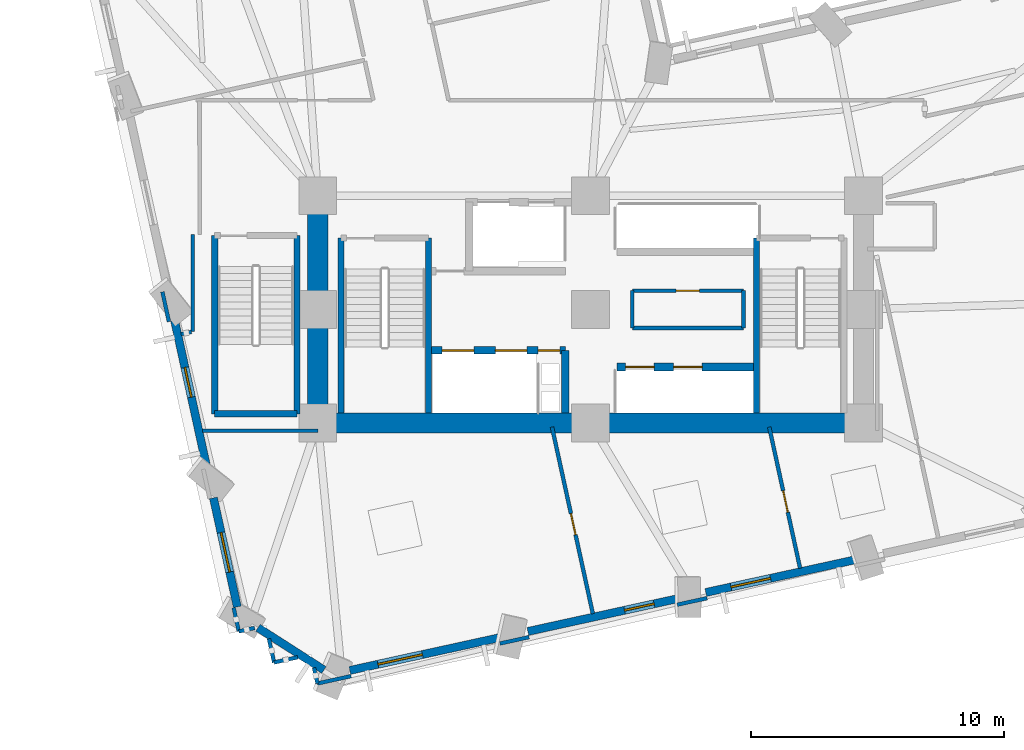
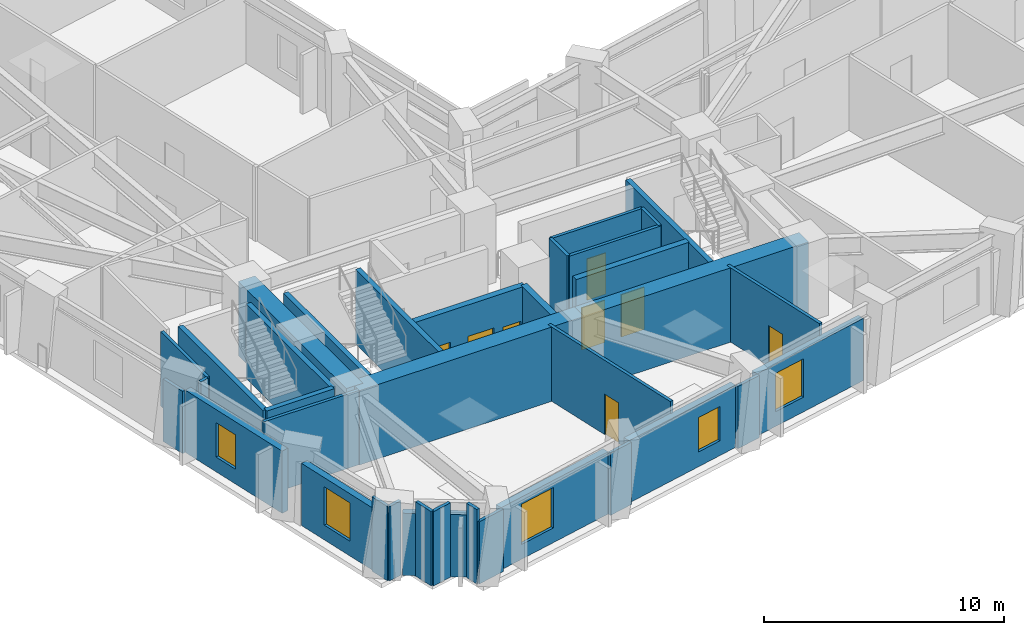
# One storey, part 6 of 14: 36 walls, 8 doors, 5 windows, 13 openings.
"""IFC4 building model written with IfcOpenShell, lengths in metres."""

from ifc_helpers import new_model, si_unit, direction, frame, frame_2d, origin, place, context, subcontext, project, spatial, rectangle, extrude, material, layer, layer_set, type_object, element, fill, save


model = new_model("IFC4")

# Units and contexts
model_context = context("Model", 3, precision=1e-05, world=origin(), true_north=direction((0.0, 1.0)))
body_context = subcontext(model_context, "Body", "Model", "MODEL_VIEW")
ifc_project = project(units=[si_unit("LENGTHUNIT", "METRE"), si_unit("AREAUNIT", "SQUARE_METRE"), si_unit("VOLUMEUNIT", "CUBIC_METRE"), si_unit("PLANEANGLEUNIT", "RADIAN"), si_unit("MASSUNIT", "GRAM", prefix="KILO")], contexts=[model_context])

# Site, building, storey
site_placement = place(None, origin())
site = spatial("IfcSite", under=ifc_project, at=site_placement, CompositionType="ELEMENT")
building_placement = place(site_placement, origin())
building = spatial("IfcBuilding", under=site, at=building_placement, Name="Gaonmaruhae Medical Tower", CompositionType="ELEMENT")
storey_placement = place(building_placement, frame((0.0, 0.0, 75.0)))
storey = spatial("IfcBuildingStorey", under=building, at=storey_placement, Name="L17", CompositionType="ELEMENT", Elevation=75.0)

# Walls
ifc_material_1 = material(Name="Concrete C60/75", Category="concrete")
ifc_layer_1 = layer(ifc_material_1, 0.800048828125)
ifc_layer_set_1 = layer_set([ifc_layer_1], Name="Concrete C60/75")
wall_type_1 = type_object("IfcWallType", Name="CW-800 Lower Core Shear Wall", PredefinedType="SHEAR", material=ifc_layer_set_1)
for number, where, z_axis, x_axis, name in (
    (1, (14.0, 7.800048828125, 0.0), (0.0, 0.0, 1.0), (1.0, 0.0, 0.0), "L17 Core Shear Wall CSW-S1"),
    (2, (24.800048828125, 7.800048828125, 0.0), (0.0, 0.0, 1.0), (1.0, 0.0, 0.0), "L17 Core Shear Wall CSW-S2"),
):
    element("IfcWall", number, at=place(storey_placement, frame(where, z_axis=z_axis, x_axis=x_axis)), inside=storey, type_object=wall_type_1, Name=name, PredefinedType="SHEAR", context=body_context, shape_type="SweptSolid", body=[
        extrude(rectangle(XDim=10.800048828125, YDim=0.800048828125, at=frame_2d((5.39990234375, 0.0))), origin(), (0.0, 0.0, 1.0), 3.780029296875),
    ])
wall_1_placement = place(storey_placement, frame((14.0, 16.800048828125, 0.0), z_axis=(0.0, 0.0, 1.0), x_axis=(0.0, -1.0, 0.0)))
element("IfcWall", 3, at=wall_1_placement, inside=storey, type_object=wall_type_1, Name="L17 Core Shear Wall CSW-W1", PredefinedType="SHEAR", context=body_context, shape_type="SweptSolid", body=[
    extrude(rectangle(XDim=9.0, YDim=0.800048828125, at=frame_2d((4.5, 0.0))), origin(), (0.0, 0.0, 1.0), 3.780029296875),
])

# Wall, opening, window
ifc_material_2 = material(Name="Precast concrete C45/55", Category="concrete")
ifc_layer_2 = layer(ifc_material_2, 0.320068359375)
ifc_layer_set_2 = layer_set([ifc_layer_2], Name="Precast concrete C45/55")
wall_type_2 = type_object("IfcWallType", Name="EW-320 Lower Precast Masonry-Frame Facade Wall", PredefinedType="SOLIDWALL", material=ifc_layer_set_2)
wall_2_placement = place(storey_placement, frame((21.16064453125, -0.70068359375, 0.0), z_axis=(0.0, 0.0, 1.0), x_axis=(-0.976863843637, -0.213862177571, 0.0)))
wall_2 = element("IfcWall", 4, at=wall_2_placement, inside=storey, type_object=wall_type_2, Name="L17 Precast Masonry-Frame Wall S01-S02", PredefinedType="SOLIDWALL", context=body_context, shape_type="SweptSolid", body=[
    extrude(rectangle(XDim=6.034423828125, YDim=0.320068359375, at=frame_2d((3.01708984375, 0.0))), origin(), (0.0, 0.0, 1.0), 3.1650390625),
])
opening_1_placement = place(wall_2_placement, frame((3.091796875, 0.0, 0.75)))
opening_1 = element("IfcOpeningElement", 5, at=opening_1_placement, cuts=wall_2, Name="Opening WN-04", PredefinedType="OPENING", context=body_context, shape_type="SweptSolid", body=[
    extrude(rectangle(XDim=1.800048828125, YDim=2.050048828125, at=frame_2d((0.89990234375, 1.02490234375))), frame((0.0, 0.169921875, 0.0), z_axis=(0.0, -1.0, 0.0), x_axis=(1.0, 0.0, 0.0)), (0.0, 0.0, 1.0), 0.340087890625),
])
ifc_material_3 = material(Name="Anodised aluminium and Low-E double glazing", Category="aluminium")
window_type_1 = type_object("IfcWindowType", Name="WN-04 Clinic & Consult Punched Window 1800x2050", PartitioningType="SINGLE_PANEL", PredefinedType="WINDOW", material=ifc_material_3)
window_1_placement = place(opening_1_placement, origin())
window_1 = element("IfcWindow", 6, at=window_1_placement, inside=storey, type_object=window_type_1, Name="L17 Modular Facade Window S01", OverallHeight=2.050048828125, OverallWidth=1.800048828125, PartitioningType="SINGLE_PANEL", PredefinedType="WINDOW", context=body_context, shape_type="SweptSolid", body=[
    extrude(rectangle(XDim=1.800048828125, YDim=2.050048828125, at=frame_2d((0.89990234375, 1.02490234375))), frame((0.0, 0.030029296875, 0.0), z_axis=(0.0, -1.0, 0.0), x_axis=(1.0, 0.0, 0.0)), (0.0, 0.0, 1.0), 0.06005859375),
])
fill(opening_1, window_1)

wall_3_placement = place(storey_placement, frame((28.1826171875, 0.8369140625, 0.0), z_axis=(0.0, 0.0, 1.0), x_axis=(-0.976853849755, -0.213907821782, 0.0)))
wall_3 = element("IfcWall", 7, at=wall_3_placement, inside=storey, type_object=wall_type_2, Name="L17 Precast Masonry-Frame Wall S02-S03", PredefinedType="SOLIDWALL", context=body_context, shape_type="SweptSolid", body=[
    extrude(rectangle(XDim=6.005615234375, YDim=0.320068359375, at=frame_2d((3.0029296875, 0.0))), origin(), (0.0, 0.0, 1.0), 3.1650390625),
])
opening_2_placement = place(wall_3_placement, frame((0.8876953125, 0.0, 0.75)))
opening_2 = element("IfcOpeningElement", 8, at=opening_2_placement, cuts=wall_3, Name="Opening WN-05", PredefinedType="OPENING", context=body_context, shape_type="SweptSolid", body=[
    extrude(rectangle(XDim=1.199951171875, YDim=1.75, at=frame_2d((0.60009765625, 0.875))), frame((0.0, 0.169921875, 0.0), z_axis=(0.0, -1.0, 0.0), x_axis=(1.0, 0.0, 0.0)), (0.0, 0.0, 1.0), 0.340087890625),
])
window_type_2 = type_object("IfcWindowType", Name="WN-05 Support & Staff Punched Window 1200x1750", PartitioningType="SINGLE_PANEL", PredefinedType="WINDOW", material=ifc_material_3)
window_2_placement = place(opening_2_placement, origin())
window_2 = element("IfcWindow", 9, at=window_2_placement, inside=storey, type_object=window_type_2, Name="L17 Modular Facade Window S02", OverallHeight=1.75, OverallWidth=1.199951171875, PartitioningType="SINGLE_PANEL", PredefinedType="WINDOW", context=body_context, shape_type="SweptSolid", body=[
    extrude(rectangle(XDim=1.199951171875, YDim=1.75, at=frame_2d((0.60009765625, 0.875))), frame((0.0, 0.030029296875, 0.0), z_axis=(0.0, -1.0, 0.0), x_axis=(1.0, 0.0, 0.0)), (0.0, 0.0, 1.0), 0.06005859375),
])
fill(opening_2, window_2)

wall_4_placement = place(storey_placement, frame((35.210693359375, 2.37548828125, 0.0), z_axis=(0.0, 0.0, 1.0), x_axis=(-0.976862242803, -0.21386948961, 0.0)))
wall_4 = element("IfcWall", 10, at=wall_4_placement, inside=storey, type_object=wall_type_2, Name="L17 Precast Masonry-Frame Wall S03-S04", PredefinedType="SOLIDWALL", context=body_context, shape_type="SweptSolid", body=[
    extrude(rectangle(XDim=5.98974609375, YDim=0.320068359375, at=frame_2d((2.994873046875, 0.0))), origin(), (0.0, 0.0, 1.0), 3.1650390625),
])
opening_3_placement = place(wall_4_placement, frame((3.3671875, 0.0, 0.75)))
opening_3 = element("IfcOpeningElement", 11, at=opening_3_placement, cuts=wall_4, Name="Opening WN-01", PredefinedType="OPENING", context=body_context, shape_type="SweptSolid", body=[
    extrude(rectangle(XDim=1.60009765625, YDim=1.949951171875, at=frame_2d((0.800048828125, 0.97509765625))), frame((0.0, 0.169921875, 0.0), z_axis=(0.0, -1.0, 0.0), x_axis=(1.0, 0.0, 0.0)), (0.0, 0.0, 1.0), 0.340087890625),
])
window_type_3 = type_object("IfcWindowType", Name="WN-01 Ward Punched Acoustic Window 1600x1950", PartitioningType="SINGLE_PANEL", PredefinedType="WINDOW", material=ifc_material_3)
window_3_placement = place(opening_3_placement, origin())
window_3 = element("IfcWindow", 12, at=window_3_placement, inside=storey, type_object=window_type_3, Name="L17 Modular Facade Window S03", OverallHeight=1.949951171875, OverallWidth=1.60009765625, PartitioningType="SINGLE_PANEL", PredefinedType="WINDOW", context=body_context, shape_type="SweptSolid", body=[
    extrude(rectangle(XDim=1.60009765625, YDim=1.949951171875, at=frame_2d((0.800048828125, 0.97509765625))), frame((0.0, 0.030029296875, 0.0), z_axis=(0.0, -1.0, 0.0), x_axis=(1.0, 0.0, 0.0)), (0.0, 0.0, 1.0), 0.06005859375),
])
fill(opening_3, window_3)

wall_5_placement = place(storey_placement, frame((9.61474609375, 6.00537109375, 0.0), z_axis=(0.0, 0.0, 1.0), x_axis=(-0.213886269433, 0.976858568959, 0.0)))
wall_5 = element("IfcWall", 13, at=wall_5_placement, inside=storey, type_object=wall_type_2, Name="L17 Precast Masonry-Frame Wall W05-W06", PredefinedType="SOLIDWALL", context=body_context, shape_type="SweptSolid", body=[
    extrude(rectangle(XDim=5.9970703125, YDim=0.320068359375, at=frame_2d((2.99853515625, 0.0))), origin(), (0.0, 0.0, 1.0), 3.1650390625),
])
opening_4_placement = place(wall_5_placement, frame((2.888916015625, 0.0, 0.75)))
opening_4 = element("IfcOpeningElement", 14, at=opening_4_placement, cuts=wall_5, Name="Opening WN-05", PredefinedType="OPENING", context=body_context, shape_type="SweptSolid", body=[
    extrude(rectangle(XDim=1.199951171875, YDim=1.75, at=frame_2d((0.60009765625, 0.875))), frame((0.0, 0.169921875, 0.0), z_axis=(0.0, -1.0, 0.0), x_axis=(1.0, 0.0, 0.0)), (0.0, 0.0, 1.0), 0.340087890625),
])
window_4_placement = place(opening_4_placement, origin())
window_4 = element("IfcWindow", 15, at=window_4_placement, inside=storey, type_object=window_type_2, Name="L17 Modular Facade Window W05", OverallHeight=1.75, OverallWidth=1.199951171875, PartitioningType="SINGLE_PANEL", PredefinedType="WINDOW", context=body_context, shape_type="SweptSolid", body=[
    extrude(rectangle(XDim=1.199951171875, YDim=1.75, at=frame_2d((0.60009765625, 0.875))), frame((0.0, 0.030029296875, 0.0), z_axis=(0.0, -1.0, 0.0), x_axis=(1.0, 0.0, 0.0)), (0.0, 0.0, 1.0), 0.06005859375),
])
fill(opening_4, window_4)

wall_6_placement = place(storey_placement, frame((10.814697265625, 0.52490234375, 0.0), z_axis=(0.0, 0.0, 1.0), x_axis=(-0.213879872246, 0.976859969621, 0.0)))
wall_6 = element("IfcWall", 16, at=wall_6_placement, inside=storey, type_object=wall_type_2, Name="L17 Precast Masonry-Frame Wall W06-W07", PredefinedType="SOLIDWALL", context=body_context, shape_type="SweptSolid", body=[
    extrude(rectangle(XDim=4.41650390625, YDim=0.320068359375, at=frame_2d((2.208251953125, 0.0))), origin(), (0.0, 0.0, 1.0), 3.1650390625),
])
opening_5_placement = place(wall_6_placement, frame((1.41064453125, 0.0, 0.75)))
opening_5 = element("IfcOpeningElement", 17, at=opening_5_placement, cuts=wall_6, Name="Opening WN-01", PredefinedType="OPENING", context=body_context, shape_type="SweptSolid", body=[
    extrude(rectangle(XDim=1.60009765625, YDim=1.949951171875, at=frame_2d((0.800048828125, 0.97509765625))), frame((0.0, 0.169921875, 0.0), z_axis=(0.0, -1.0, 0.0), x_axis=(1.0, 0.0, 0.0)), (0.0, 0.0, 1.0), 0.340087890625),
])
window_5_placement = place(opening_5_placement, origin())
window_5 = element("IfcWindow", 18, at=window_5_placement, inside=storey, type_object=window_type_3, Name="L17 Modular Facade Window W06", OverallHeight=1.949951171875, OverallWidth=1.60009765625, PartitioningType="SINGLE_PANEL", PredefinedType="WINDOW", context=body_context, shape_type="SweptSolid", body=[
    extrude(rectangle(XDim=1.60009765625, YDim=1.949951171875, at=frame_2d((0.800048828125, 0.97509765625))), frame((0.0, 0.030029296875, 0.0), z_axis=(0.0, -1.0, 0.0), x_axis=(1.0, 0.0, 0.0)), (0.0, 0.0, 1.0), 0.06005859375),
])
fill(opening_5, window_5)

# Walls
wall_7_placement = place(storey_placement, frame((14.2421875, -1.973388671875, 0.0), z_axis=(0.0, 0.0, 1.0), x_axis=(-0.841996590961, 0.539482845705, 0.0)))
element("IfcWall", 19, at=wall_7_placement, inside=storey, type_object=wall_type_2, Name="L17 Precast Masonry-Frame Wall W07-S01", PredefinedType="SOLIDWALL", context=body_context, shape_type="SweptSolid", body=[
    extrude(rectangle(XDim=3.09912109375, YDim=0.320068359375, at=frame_2d((1.549560546875, 0.0))), origin(), (0.0, 0.0, 1.0), 3.1650390625),
])
ifc_material_4 = material(Name="Gypsum board partition", Category="gypsum")
ifc_layer_3 = layer(ifc_material_4, 0.14990234375)
ifc_layer_set_3 = layer_set([ifc_layer_3], Name="Gypsum board partition")
wall_type_3 = type_object("IfcWallType", Name="PW-150 Rated Clinical Corridor Partition", PredefinedType="PARTITIONING", material=ifc_layer_set_3)
wall_8_placement = place(storey_placement, frame((26.449951171875, 11.56005859375, 0.0), z_axis=(0.0, 0.0, 1.0), x_axis=(0.0, 1.0, 0.0)))
element("IfcWall", 20, at=wall_8_placement, inside=storey, type_object=wall_type_3, Name="L17 Interior Partition L17-CS1-1", PredefinedType="PARTITIONING", context=body_context, shape_type="SweptSolid", body=[
    extrude(rectangle(XDim=1.47998046875, YDim=0.14990234375, at=frame_2d((0.739990234375, 0.0))), origin(), (0.0, 0.0, 1.0), 3.780029296875),
])

# Wall, opening, door
wall_9_placement = place(storey_placement, frame((26.449951171875, 13.0400390625, 0.0), z_axis=(0.0, 0.0, 1.0), x_axis=(1.0, 0.0, 0.0)))
wall_9 = element("IfcWall", 21, at=wall_9_placement, inside=storey, type_object=wall_type_3, Name="L17 Interior Partition L17-CS1-2", PredefinedType="PARTITIONING", context=body_context, shape_type="SweptSolid", body=[
    extrude(rectangle(XDim=4.400146484375, YDim=0.14990234375, at=frame_2d((2.2001953125, 0.0))), origin(), (0.0, 0.0, 1.0), 3.780029296875),
])
opening_6_placement = place(wall_9_placement, frame((1.739990234375, 0.0, 0.0)))
opening_6 = element("IfcOpeningElement", 22, at=opening_6_placement, cuts=wall_9, Name="Opening UD-01", PredefinedType="OPENING", context=body_context, shape_type="SweptSolid", body=[
    extrude(rectangle(XDim=0.919921875, YDim=2.10009765625, at=frame_2d((0.4599609375, 1.050048828125))), frame((0.0, 0.0849609375, 0.0), z_axis=(0.0, -1.0, 0.0), x_axis=(1.0, 0.0, 0.0)), (0.0, 0.0, 1.0), 0.169921875),
])
ifc_material_5 = material(Name="Powder-coated steel utility door", Category="steel")
door_type_1 = type_object("IfcDoorType", Name="UD-01 Toilet, Utility & Housekeeping Door 920x2100", OperationType="NOTDEFINED", PredefinedType="DOOR", material=ifc_material_5)
door_1_placement = place(opening_6_placement, origin())
door_1 = element("IfcDoor", 23, at=door_1_placement, inside=storey, type_object=door_type_1, Name="L17 Clean Linen Utility Store Door", OperationType="SINGLE_SWING_LEFT", OverallHeight=2.10009765625, OverallWidth=0.919921875, PredefinedType="DOOR", context=body_context, shape_type="SweptSolid", body=[
    extrude(rectangle(XDim=0.919921875, YDim=2.10009765625, at=frame_2d((0.4599609375, 1.050048828125))), frame((0.0, 0.02490234375, 0.0), z_axis=(0.0, -1.0, 0.0), x_axis=(1.0, 0.0, 0.0)), (0.0, 0.0, 1.0), 0.050048828125),
])
fill(opening_6, door_1)

# Walls
wall_10_placement = place(storey_placement, frame((30.85009765625, 13.0400390625, 0.0), z_axis=(0.0, 0.0, 1.0), x_axis=(0.0, -1.0, 0.0)))
element("IfcWall", 24, at=wall_10_placement, inside=storey, type_object=wall_type_3, Name="L17 Interior Partition L17-CS1-3", PredefinedType="PARTITIONING", context=body_context, shape_type="SweptSolid", body=[
    extrude(rectangle(XDim=1.47998046875, YDim=0.14990234375, at=frame_2d((0.739990234375, 0.0))), origin(), (0.0, 0.0, 1.0), 3.780029296875),
])
wall_11_placement = place(storey_placement, frame((30.85009765625, 11.56005859375, 0.0), z_axis=(0.0, 0.0, 1.0), x_axis=(-1.0, 0.0, 0.0)))
element("IfcWall", 25, at=wall_11_placement, inside=storey, type_object=wall_type_3, Name="L17 Interior Partition L17-CS1-4", PredefinedType="PARTITIONING", context=body_context, shape_type="SweptSolid", body=[
    extrude(rectangle(XDim=4.400146484375, YDim=0.14990234375, at=frame_2d((2.2001953125, 0.0))), origin(), (0.0, 0.0, 1.0), 3.780029296875),
])
wall_12_placement = place(storey_placement, frame((9.426025390625, 7.5, 0.0), z_axis=(0.0, 0.0, 1.0), x_axis=(1.0, 0.0, 0.0)))
element("IfcWall", 26, at=wall_12_placement, inside=storey, type_object=wall_type_3, Name="L17 Interior Partition L17-SUP01-5", PredefinedType="PARTITIONING", context=body_context, shape_type="SweptSolid", body=[
    extrude(rectangle(XDim=4.573974609375, YDim=0.14990234375, at=frame_2d((2.287109375, 0.0))), origin(), (0.0, 0.0, 1.0), 3.780029296875),
])
wall_13_placement = place(storey_placement, frame((15.31494140625, -2.216064453125, 0.0), z_axis=(0.0, 0.0, 1.0), x_axis=(-0.976816757291, -0.214077141881, 0.0)))
element("IfcWall", 27, at=wall_13_placement, inside=storey, type_object=wall_type_3, Name="L17 Interior Partition L17-SUP01-7", PredefinedType="PARTITIONING", context=body_context, shape_type="SweptSolid", body=[
    extrude(rectangle(XDim=1.359375, YDim=0.14990234375, at=frame_2d((0.6796875, 0.0))), origin(), (0.0, 0.0, 1.0), 3.1650390625),
])
wall_14_placement = place(storey_placement, frame((13.987060546875, -2.507080078125, 0.0), z_axis=(0.0, 0.0, 1.0), x_axis=(-0.214380618692, 0.976750198531, 0.0)))
element("IfcWall", 28, at=wall_14_placement, inside=storey, type_object=wall_type_3, Name="L17 Interior Partition L17-SUP01-8", PredefinedType="PARTITIONING", context=body_context, shape_type="SweptSolid", body=[
    extrude(rectangle(XDim=0.638916015625, YDim=0.14990234375, at=frame_2d((0.3193359375, 0.0))), origin(), (0.0, 0.0, 1.0), 3.780029296875),
])
for number, where, z_axis, x_axis, name in (
    (29, (13.2060546875, -1.469970703125, 0.0), (0.0, 0.0, 1.0), (-0.976876764924, -0.213803148133, 0.0), "L17 Interior Partition L17-SUP01-9"),
    (30, (12.26904296875, -1.675048828125, 0.0), (0.0, 0.0, 1.0), (-0.213803148133, 0.976876764924, 0.0), "L17 Interior Partition L17-SUP01-10"),
):
    element("IfcWall", number, at=place(storey_placement, frame(where, z_axis=z_axis, x_axis=x_axis)), inside=storey, type_object=wall_type_3, Name=name, PredefinedType="PARTITIONING", context=body_context, shape_type="SweptSolid", body=[
        extrude(rectangle(XDim=0.959228515625, YDim=0.14990234375, at=frame_2d((0.4794921875, 0.0))), origin(), (0.0, 0.0, 1.0), 3.780029296875),
    ])
wall_15_placement = place(storey_placement, frame((11.498046875, -0.30810546875, 0.0), z_axis=(0.0, 0.0, 1.0), x_axis=(-0.976750198531, -0.214380618692, 0.0)))
element("IfcWall", 31, at=wall_15_placement, inside=storey, type_object=wall_type_3, Name="L17 Interior Partition L17-SUP01-11", PredefinedType="PARTITIONING", context=body_context, shape_type="SweptSolid", body=[
    extrude(rectangle(XDim=0.638916015625, YDim=0.14990234375, at=frame_2d((0.3193359375, 0.0))), origin(), (0.0, 0.0, 1.0), 3.780029296875),
])
wall_16_placement = place(storey_placement, frame((10.8740234375, -0.445068359375, 0.0), z_axis=(0.0, 0.0, 1.0), x_axis=(-0.213590712542, 0.976923235222, 0.0)))
element("IfcWall", 32, at=wall_16_placement, inside=storey, type_object=wall_type_3, Name="L17 Interior Partition L17-SUP01-12", PredefinedType="PARTITIONING", context=body_context, shape_type="SweptSolid", body=[
    extrude(rectangle(XDim=0.960205078125, YDim=0.14990234375, at=frame_2d((0.47998046875, 0.0))), origin(), (0.0, 0.0, 1.0), 3.780029296875),
])
wall_17_placement = place(storey_placement, frame((22.364990234375, -0.672119140625, 0.0), z_axis=(0.0, 0.0, 1.0), x_axis=(-0.976852847871, -0.21391239704, 0.0)))
element("IfcWall", 33, at=wall_17_placement, inside=storey, type_object=wall_type_3, Name="L17 Interior Partition L17-SUP02-14", PredefinedType="PARTITIONING", context=body_context, shape_type="SweptSolid", body=[
    extrude(rectangle(XDim=1.182373046875, YDim=0.14990234375, at=frame_2d((0.59130859375, 0.0))), origin(), (0.0, 0.0, 1.0), 3.1650390625),
])

# Wall, opening, door
wall_18_placement = place(storey_placement, frame((23.27099609375, 7.64404296875, 0.0), z_axis=(0.0, 0.0, 1.0), x_axis=(0.213864339453, -0.976863370339, 0.0)))
wall_18 = element("IfcWall", 34, at=wall_18_placement, inside=storey, type_object=wall_type_3, Name="L17 Interior Partition L17-SUP02-15", PredefinedType="PARTITIONING", context=body_context, shape_type="SweptSolid", body=[
    extrude(rectangle(XDim=7.565185546875, YDim=0.14990234375, at=frame_2d((3.78271484375, 0.0))), origin(), (0.0, 0.0, 1.0), 3.780029296875),
])
opening_7_placement = place(wall_18_placement, frame((3.506103515625, 0.0, 0.0)))
opening_7 = element("IfcOpeningElement", 35, at=opening_7_placement, cuts=wall_18, Name="Opening AD-01", PredefinedType="OPENING", context=body_context, shape_type="SweptSolid", body=[
    extrude(rectangle(XDim=0.860107421875, YDim=2.06005859375, at=frame_2d((0.43017578125, 1.030029296875))), frame((0.0, 0.0849609375, 0.0), z_axis=(0.0, -1.0, 0.0), x_axis=(1.0, 0.0, 0.0)), (0.0, 0.0, 1.0), 0.169921875),
])
ifc_material_6 = material(Name="Powder-coated steel access door", Category="steel")
door_type_2 = type_object("IfcDoorType", Name="AD-01 Riser & Closet Access Fire Door 860x2060", OperationType="NOTDEFINED", PredefinedType="DOOR", material=ifc_material_6)
door_2_placement = place(opening_7_placement, origin())
door_2 = element("IfcDoor", 36, at=door_2_placement, inside=storey, type_object=door_type_2, Name="L17 Clinical Biomedical Charting Office Sliding Door", OperationType="SLIDING_TO_LEFT", OverallHeight=2.06005859375, OverallWidth=0.860107421875, PredefinedType="DOOR", context=body_context, shape_type="SweptSolid", body=[
    extrude(rectangle(XDim=0.860107421875, YDim=2.06005859375, at=frame_2d((0.43017578125, 1.030029296875))), frame((0.0, 0.02490234375, 0.0), z_axis=(0.0, -1.0, 0.0), x_axis=(1.0, 0.0, 0.0)), (0.0, 0.0, 1.0), 0.050048828125),
])
fill(opening_7, door_2)

# Wall
wall_19_placement = place(storey_placement, frame((29.408935546875, 0.8701171875, 0.0), z_axis=(0.0, 0.0, 1.0), x_axis=(-0.976798127937, -0.214162128444, 0.0)))
element("IfcWall", 37, at=wall_19_placement, inside=storey, type_object=wall_type_3, Name="L17 Interior Partition L17-SUP03-16", PredefinedType="PARTITIONING", context=body_context, shape_type="SweptSolid", body=[
    extrude(rectangle(XDim=1.205078125, YDim=0.14990234375, at=frame_2d((0.6025390625, 0.0))), origin(), (0.0, 0.0, 1.0), 3.1650390625),
])

# Wall, opening, door
wall_20_placement = place(storey_placement, frame((31.8701171875, 7.64404296875, 0.0), z_axis=(0.0, 0.0, 1.0), x_axis=(0.213728666116, -0.97689306338, 0.0)))
wall_20 = element("IfcWall", 38, at=wall_20_placement, inside=storey, type_object=wall_type_3, Name="L17 Interior Partition L17-SUP03-17", PredefinedType="PARTITIONING", context=body_context, shape_type="SweptSolid", body=[
    extrude(rectangle(XDim=5.726318359375, YDim=0.14990234375, at=frame_2d((2.86328125, 0.0))), origin(), (0.0, 0.0, 1.0), 3.780029296875),
])
opening_8_placement = place(wall_20_placement, frame((2.586669921875, 0.0, 0.0)))
opening_8 = element("IfcOpeningElement", 39, at=opening_8_placement, cuts=wall_20, Name="Opening AD-01", PredefinedType="OPENING", context=body_context, shape_type="SweptSolid", body=[
    extrude(rectangle(XDim=0.860107421875, YDim=2.06005859375, at=frame_2d((0.43017578125, 1.030029296875))), frame((0.0, 0.0849609375, 0.0), z_axis=(0.0, -1.0, 0.0), x_axis=(1.0, 0.0, 0.0)), (0.0, 0.0, 1.0), 0.169921875),
])
door_3_placement = place(opening_8_placement, origin())
door_3 = element("IfcDoor", 40, at=door_3_placement, inside=storey, type_object=door_type_2, Name="L17 Clinical Biomedical Charting Office Sliding Door", OperationType="SLIDING_TO_LEFT", OverallHeight=2.06005859375, OverallWidth=0.860107421875, PredefinedType="DOOR", context=body_context, shape_type="SweptSolid", body=[
    extrude(rectangle(XDim=0.860107421875, YDim=2.06005859375, at=frame_2d((0.43017578125, 1.030029296875))), frame((0.0, 0.02490234375, 0.0), z_axis=(0.0, -1.0, 0.0), x_axis=(1.0, 0.0, 0.0)), (0.0, 0.0, 1.0), 0.050048828125),
])
fill(opening_8, door_3)

# Walls
wall_21_placement = place(storey_placement, frame((9.050048828125, 15.260009765625, 0.0), z_axis=(0.0, 0.0, 1.0), x_axis=(0.0, -1.0, 0.0)))
element("IfcWall", 41, at=wall_21_placement, inside=storey, type_object=wall_type_3, Name="L17 Interior Partition L17-WCL09-42", PredefinedType="PARTITIONING", context=body_context, shape_type="SweptSolid", body=[
    extrude(rectangle(XDim=3.8349609375, YDim=0.14990234375, at=frame_2d((1.91748046875, 0.0))), origin(), (0.0, 0.0, 1.0), 3.780029296875),
])
wall_22_placement = place(storey_placement, frame((9.0009765625, 11.4140625, 0.0), z_axis=(0.0, 0.0, 1.0), x_axis=(-0.977035436629, -0.213076877137, 0.0)))
element("IfcWall", 42, at=wall_22_placement, inside=storey, type_object=wall_type_3, Name="L17 Interior Partition L17-WCL09-43", PredefinedType="PARTITIONING", context=body_context, shape_type="SweptSolid", body=[
    extrude(rectangle(XDim=0.4228515625, YDim=0.14990234375, at=frame_2d((0.21142578125, 0.0))), origin(), (0.0, 0.0, 1.0), 3.780029296875),
])
wall_23_placement = place(storey_placement, frame((8.10791015625, 11.81494140625, 0.0), z_axis=(0.0, 0.0, 1.0), x_axis=(-0.21385331099, 0.976865784731, 0.0)))
element("IfcWall", 43, at=wall_23_placement, inside=storey, type_object=wall_type_3, Name="L17 Interior Partition L17-WCL09-44", PredefinedType="PARTITIONING", context=body_context, shape_type="SweptSolid", body=[
    extrude(rectangle(XDim=1.210205078125, YDim=0.14990234375, at=frame_2d((0.60498046875, 0.0))), origin(), (0.0, 0.0, 1.0), 3.1650390625),
])
ifc_material_7 = material(Name="Concrete C50/60", Category="concrete")
ifc_layer_4 = layer(ifc_material_7, 0.239990234375)
ifc_layer_set_4 = layer_set([ifc_layer_4], Name="Concrete C50/60")
wall_type_4 = type_object("IfcWallType", Name="SW-240 Dogleg Stair Tight Shaft Wall", PredefinedType="SOLIDWALL", material=ifc_layer_set_4)
for number, where, z_axis, x_axis, name in (
    (44, (18.3798828125, 15.1201171875, 0.0), (0.0, 0.0, 1.0), (0.0, -1.0, 0.0), "L17 ST-01 Stair Shaft Wall SHW-ST-01-E"),
    (45, (14.919921875, 8.199951171875, 0.0), (0.0, 0.0, 1.0), (0.0, 1.0, 0.0), "L17 ST-01 Stair Shaft Wall SHW-ST-01-W"),
    (46, (31.3701171875, 8.199951171875, 0.0), (0.0, 0.0, 1.0), (0.0, 1.0, 0.0), "L17 ST-02 Stair Shaft Wall SHW-ST-02-W"),
):
    element("IfcWall", number, at=place(storey_placement, frame(where, z_axis=z_axis, x_axis=x_axis)), inside=storey, type_object=wall_type_4, Name=name, PredefinedType="SOLIDWALL", context=body_context, shape_type="SweptSolid", body=[
        extrude(rectangle(XDim=6.920166015625, YDim=0.239990234375, at=frame_2d((3.4599609375, 0.0))), origin(), (0.0, 0.0, 1.0), 3.780029296875),
    ])
wall_24_placement = place(storey_placement, frame((13.179931640625, 15.219970703125, 0.0), z_axis=(0.0, 0.0, 1.0), x_axis=(0.0, -1.0, 0.0)))
element("IfcWall", 47, at=wall_24_placement, inside=storey, type_object=wall_type_4, Name="L17 ST-03 Stair Shaft Wall SHW-ST-03-E", PredefinedType="SOLIDWALL", context=body_context, shape_type="SweptSolid", body=[
    extrude(rectangle(XDim=7.050048828125, YDim=0.239990234375, at=frame_2d((3.52490234375, 0.0))), origin(), (0.0, 0.0, 1.0), 3.780029296875),
])
wall_25_placement = place(storey_placement, frame((13.179931640625, 8.169921875, 0.0), z_axis=(0.0, 0.0, 1.0), x_axis=(-1.0, 0.0, 0.0)))
element("IfcWall", 48, at=wall_25_placement, inside=storey, type_object=wall_type_4, Name="L17 ST-03 Stair Shaft Wall SHW-ST-03-S", PredefinedType="SOLIDWALL", context=body_context, shape_type="SweptSolid", body=[
    extrude(rectangle(XDim=3.260009765625, YDim=0.239990234375, at=frame_2d((1.6298828125, 0.0))), origin(), (0.0, 0.0, 1.0), 3.780029296875),
])
wall_26_placement = place(storey_placement, frame((9.919921875, 8.169921875, 0.0), z_axis=(0.0, 0.0, 1.0), x_axis=(0.0, 1.0, 0.0)))
element("IfcWall", 49, at=wall_26_placement, inside=storey, type_object=wall_type_4, Name="L17 ST-03 Stair Shaft Wall SHW-ST-03-W", PredefinedType="SOLIDWALL", context=body_context, shape_type="SweptSolid", body=[
    extrude(rectangle(XDim=7.050048828125, YDim=0.239990234375, at=frame_2d((3.52490234375, 0.0))), origin(), (0.0, 0.0, 1.0), 3.780029296875),
])

# Wall, openings, doors
ifc_layer_5 = layer(ifc_material_7, 0.300048828125)
ifc_layer_set_5 = layer_set([ifc_layer_5], Name="Concrete C50/60")
wall_type_5 = type_object("IfcWallType", Name="SW-300 Stair & Lift Hoistway Shaft Wall", PredefinedType="SOLIDWALL", material=ifc_layer_set_5)
wall_27_placement = place(storey_placement, frame((18.5, 10.679931640625, 0.0), z_axis=(0.0, 0.0, 1.0), x_axis=(1.0, 0.0, 0.0)))
wall_27 = element("IfcWall", 50, at=wall_27_placement, inside=storey, type_object=wall_type_5, Name="L17 Shaft Enclosure Wall SHW-FFN", PredefinedType="SOLIDWALL", context=body_context, shape_type="SweptSolid", body=[
    extrude(rectangle(XDim=5.300048828125, YDim=0.300048828125, at=frame_2d((2.64990234375, 0.0))), origin(), (0.0, 0.0, 1.0), 3.780029296875),
])
opening_9_placement = place(wall_27_placement, frame((4.219970703125, 0.0, 0.0)))
opening_9 = element("IfcOpeningElement", 51, at=opening_9_placement, cuts=wall_27, Name="Opening AD-01", PredefinedType="OPENING", context=body_context, shape_type="SweptSolid", body=[
    extrude(rectangle(XDim=0.860107421875, YDim=2.06005859375, at=frame_2d((0.43017578125, 1.030029296875))), frame((0.0, 0.16015625, 0.0), z_axis=(0.0, -1.0, 0.0), x_axis=(1.0, 0.0, 0.0)), (0.0, 0.0, 1.0), 0.320068359375),
])
opening_10_placement = place(wall_27_placement, frame((0.425048828125, 0.0, 0.0)))
opening_10 = element("IfcOpeningElement", 52, at=opening_10_placement, cuts=wall_27, Name="Opening LD-F1", PredefinedType="OPENING", context=body_context, shape_type="SweptSolid", body=[
    extrude(rectangle(XDim=1.25, YDim=2.179931640625, at=frame_2d((0.625, 1.08984375))), frame((0.0, 0.16015625, 0.0), z_axis=(0.0, -1.0, 0.0), x_axis=(1.0, 0.0, 0.0)), (0.0, 0.0, 1.0), 0.320068359375),
])
opening_11_placement = place(wall_27_placement, frame((2.52490234375, 0.0, 0.0)))
opening_11 = element("IfcOpeningElement", 53, at=opening_11_placement, cuts=wall_27, Name="Opening LD-F1", PredefinedType="OPENING", context=body_context, shape_type="SweptSolid", body=[
    extrude(rectangle(XDim=1.25, YDim=2.179931640625, at=frame_2d((0.625, 1.08984375))), frame((0.0, 0.16015625, 0.0), z_axis=(0.0, -1.0, 0.0), x_axis=(1.0, 0.0, 0.0)), (0.0, 0.0, 1.0), 0.320068359375),
])
door_4_placement = place(opening_9_placement, origin())
door_4 = element("IfcDoor", 54, at=door_4_placement, inside=storey, type_object=door_type_2, Name="L17 Medical Gas and MEP Riser Access Door", OperationType="SINGLE_SWING_RIGHT", OverallHeight=2.06005859375, OverallWidth=0.860107421875, PredefinedType="DOOR", context=body_context, shape_type="SweptSolid", body=[
    extrude(rectangle(XDim=0.860107421875, YDim=2.06005859375, at=frame_2d((0.43017578125, 1.030029296875))), frame((0.0, 0.02490234375, 0.0), z_axis=(0.0, -1.0, 0.0), x_axis=(1.0, 0.0, 0.0)), (0.0, 0.0, 1.0), 0.050048828125),
])
fill(opening_9, door_4)
ifc_material_8 = material(Name="Brushed stainless steel 316L landing door", Category="steel")
door_type_3 = type_object("IfcDoorType", Name="LD-F1 Firefighting & Bed Lift Sliding Landing Door 1250x2180", OperationType="NOTDEFINED", PredefinedType="DOOR", material=ifc_material_8)
door_5_placement = place(opening_10_placement, origin())
door_5 = element("IfcDoor", 55, at=door_5_placement, inside=storey, type_object=door_type_3, Name="L17 Firefighting Lift Landing Door FFL-01", OperationType="DOUBLE_DOOR_SLIDING", OverallHeight=2.179931640625, OverallWidth=1.25, PredefinedType="DOOR", context=body_context, shape_type="SweptSolid", body=[
    extrude(rectangle(XDim=1.25, YDim=2.179931640625, at=frame_2d((0.625, 1.08984375))), frame((0.0, 0.02490234375, 0.0), z_axis=(0.0, -1.0, 0.0), x_axis=(1.0, 0.0, 0.0)), (0.0, 0.0, 1.0), 0.050048828125),
])
fill(opening_10, door_5)
door_6_placement = place(opening_11_placement, origin())
door_6 = element("IfcDoor", 56, at=door_6_placement, inside=storey, type_object=door_type_3, Name="L17 Firefighting Lift Landing Door FFL-02", OperationType="DOUBLE_DOOR_SLIDING", OverallHeight=2.179931640625, OverallWidth=1.25, PredefinedType="DOOR", context=body_context, shape_type="SweptSolid", body=[
    extrude(rectangle(XDim=1.25, YDim=2.179931640625, at=frame_2d((0.625, 1.08984375))), frame((0.0, 0.02490234375, 0.0), z_axis=(0.0, -1.0, 0.0), x_axis=(1.0, 0.0, 0.0)), (0.0, 0.0, 1.0), 0.050048828125),
])
fill(opening_11, door_6)

# Wall
wall_28_placement = place(storey_placement, frame((23.800048828125, 8.199951171875, 0.0), z_axis=(0.0, 0.0, 1.0), x_axis=(0.0, 1.0, 0.0)))
element("IfcWall", 57, at=wall_28_placement, inside=storey, type_object=wall_type_5, Name="L17 Shaft Enclosure Wall SHW-FFE", PredefinedType="SOLIDWALL", context=body_context, shape_type="SweptSolid", body=[
    extrude(rectangle(XDim=2.47998046875, YDim=0.300048828125, at=frame_2d((1.239990234375, 0.0))), origin(), (0.0, 0.0, 1.0), 3.780029296875),
])

# Wall, openings, doors
wall_29_placement = place(storey_placement, frame((25.85009765625, 10.02001953125, 0.0), z_axis=(0.0, 0.0, 1.0), x_axis=(1.0, 0.0, 0.0)))
wall_29 = element("IfcWall", 58, at=wall_29_placement, inside=storey, type_object=wall_type_5, Name="L17 Shaft Enclosure Wall SHW-PLS", PredefinedType="SOLIDWALL", context=body_context, shape_type="SweptSolid", body=[
    extrude(rectangle(XDim=5.449951171875, YDim=0.300048828125, at=frame_2d((2.72509765625, 0.0))), origin(), (0.0, 0.0, 1.0), 3.780029296875),
])
opening_12_placement = place(wall_29_placement, frame((0.340087890625, 0.0, 0.0)))
opening_12 = element("IfcOpeningElement", 59, at=opening_12_placement, cuts=wall_29, Name="Opening LD-P1", PredefinedType="OPENING", context=body_context, shape_type="SweptSolid", body=[
    extrude(rectangle(XDim=1.1201171875, YDim=2.14990234375, at=frame_2d((0.56005859375, 1.074951171875))), frame((0.0, 0.16015625, 0.0), z_axis=(0.0, -1.0, 0.0), x_axis=(1.0, 0.0, 0.0)), (0.0, 0.0, 1.0), 0.320068359375),
])
opening_13_placement = place(wall_29_placement, frame((2.239990234375, 0.0, 0.0)))
opening_13 = element("IfcOpeningElement", 60, at=opening_13_placement, cuts=wall_29, Name="Opening LD-P1", PredefinedType="OPENING", context=body_context, shape_type="SweptSolid", body=[
    extrude(rectangle(XDim=1.1201171875, YDim=2.14990234375, at=frame_2d((0.56005859375, 1.074951171875))), frame((0.0, 0.16015625, 0.0), z_axis=(0.0, -1.0, 0.0), x_axis=(1.0, 0.0, 0.0)), (0.0, 0.0, 1.0), 0.320068359375),
])
ifc_material_9 = material(Name="Brushed stainless steel 304 landing door", Category="steel")
door_type_4 = type_object("IfcDoorType", Name="LD-P1 Passenger Lift Sliding Landing Door 1120x2150", OperationType="NOTDEFINED", PredefinedType="DOOR", material=ifc_material_9)
door_7_placement = place(opening_12_placement, origin())
door_7 = element("IfcDoor", 61, at=door_7_placement, inside=storey, type_object=door_type_4, Name="L17 Passenger Lift Landing Door PL-L1", OperationType="DOUBLE_DOOR_SLIDING", OverallHeight=2.14990234375, OverallWidth=1.1201171875, PredefinedType="DOOR", context=body_context, shape_type="SweptSolid", body=[
    extrude(rectangle(XDim=1.1201171875, YDim=2.14990234375, at=frame_2d((0.56005859375, 1.074951171875))), frame((0.0, 0.02490234375, 0.0), z_axis=(0.0, -1.0, 0.0), x_axis=(1.0, 0.0, 0.0)), (0.0, 0.0, 1.0), 0.050048828125),
])
fill(opening_12, door_7)
door_8_placement = place(opening_13_placement, origin())
door_8 = element("IfcDoor", 62, at=door_8_placement, inside=storey, type_object=door_type_4, Name="L17 Passenger Lift Landing Door PL-L2", OperationType="DOUBLE_DOOR_SLIDING", OverallHeight=2.14990234375, OverallWidth=1.1201171875, PredefinedType="DOOR", context=body_context, shape_type="SweptSolid", body=[
    extrude(rectangle(XDim=1.1201171875, YDim=2.14990234375, at=frame_2d((0.56005859375, 1.074951171875))), frame((0.0, 0.02490234375, 0.0), z_axis=(0.0, -1.0, 0.0), x_axis=(1.0, 0.0, 0.0)), (0.0, 0.0, 1.0), 0.050048828125),
])
fill(opening_13, door_8)

save(model, "model.ifc")
